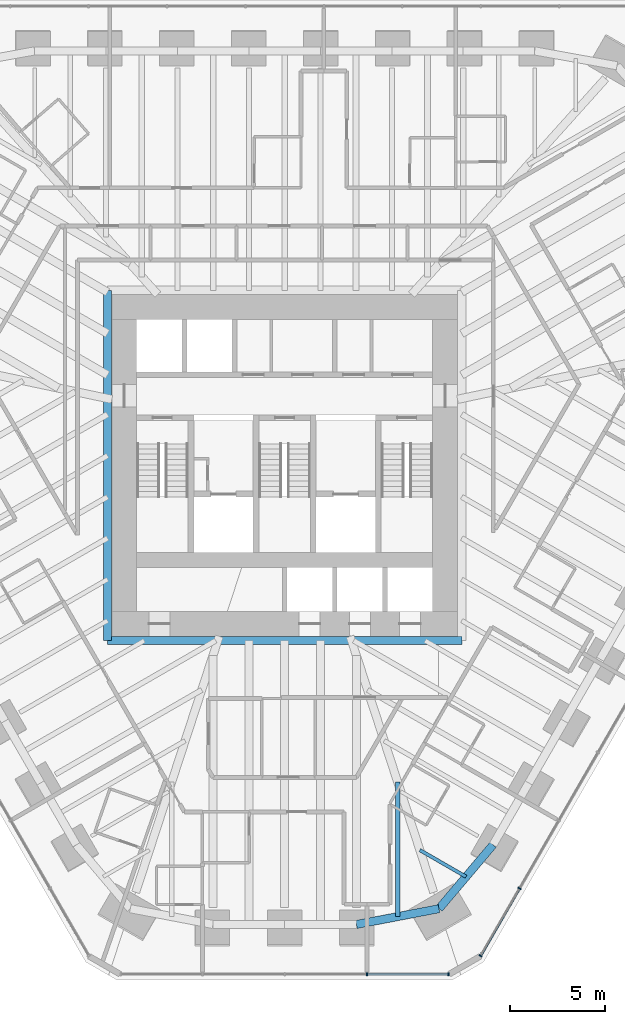
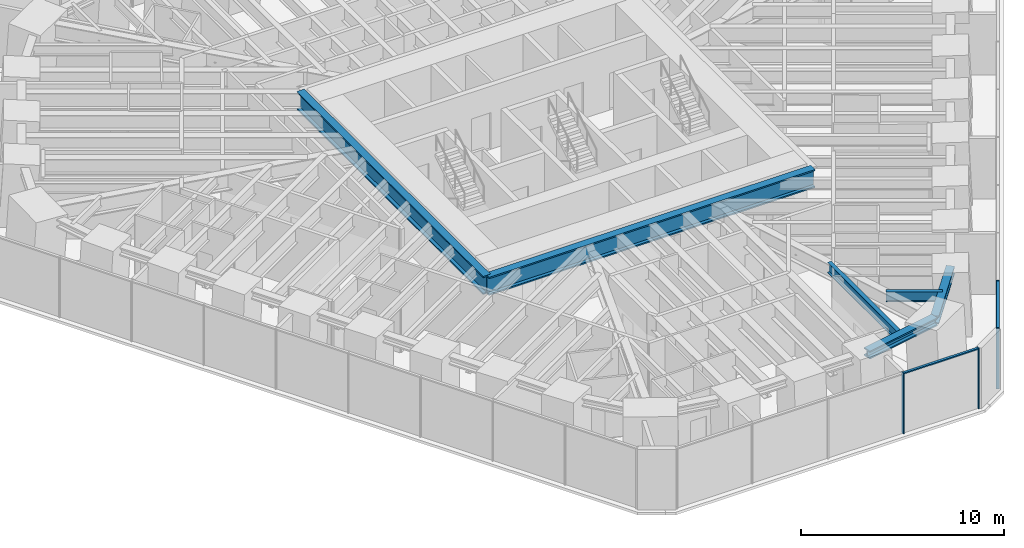
# One storey, part 4 of 17: 6 beams, 6 members, 2 elements without a shape of their own.
"""IFC4 building model written with IfcOpenShell, lengths in metres."""

from ifc_helpers import new_model, si_unit, direction, frame, origin, origin_2d, place, context, subcontext, project, spatial, rectangle, i_section, extrude, material, material_profile, profile_set, type_object, element, aggregate, save


model = new_model("IFC4")

# Units and contexts
model_context = context("Model", 3, precision=1e-05, world=origin(), true_north=direction((0.0, 1.0)))
body_context = subcontext(model_context, "Body", "Model", "MODEL_VIEW")
ifc_project = project(units=[si_unit("LENGTHUNIT", "METRE"), si_unit("AREAUNIT", "SQUARE_METRE"), si_unit("VOLUMEUNIT", "CUBIC_METRE"), si_unit("PLANEANGLEUNIT", "RADIAN"), si_unit("MASSUNIT", "GRAM", prefix="KILO")], contexts=[model_context])

# Site, building, storey
site_placement = place(None, origin())
site = spatial("IfcSite", under=ifc_project, at=site_placement, CompositionType="ELEMENT")
building_placement = place(site_placement, origin())
building = spatial("IfcBuilding", under=site, at=building_placement, Name="Sandreach Pilgrim Tower", CompositionType="ELEMENT")
storey_placement = place(building_placement, frame((0.0, 0.0, 169.0)))
storey = spatial("IfcBuildingStorey", under=building, at=storey_placement, Name="L42", CompositionType="ELEMENT", Elevation=169.0)

# Beams
ifc_material_1 = material(Name="Steel ASTM A913 Grade 65", Category="steel")
ifc_material_profile_1 = material_profile(ifc_material_1, i_section(OverallWidth=0.4267578125, OverallDepth=0.482666015625, WebThickness=0.05126953125, FlangeThickness=0.08154296875, at=origin_2d()), Name="W14X455")
ifc_profile_set_1 = profile_set([ifc_material_profile_1], Name="Steel ASTM A913 Grade 65")
beam_type_1 = type_object("IfcBeamType", Name="Belt truss chord W14X455", PredefinedType="BEAM", material=ifc_profile_set_1)
beam_1_placement = place(storey_placement, frame((10.910400390625, -21.41357421875, 3.398681640625), z_axis=(-0.645737346686, -0.763559610702, 0.0), x_axis=(0.763559610702, -0.645737346686, 0.0)))
element("IfcBeam", 1, at=beam_1_placement, inside=storey, type_object=beam_type_1, Name="BM L42 BTB21", PredefinedType="BEAM", context=body_context, shape_type="SweptSolid", body=[
    extrude(i_section(OverallWidth=0.4267578125, OverallDepth=0.482666015625, WebThickness=0.05126953125, FlangeThickness=0.08154296875, at=origin_2d()), origin(), (0.0, 0.0, 1.0), 4.38037109375),
])
beam_2_placement = place(storey_placement, frame((8.081787109375, -24.75830078125, 3.398681640625), z_axis=(-0.982235520779, -0.18765228941, 0.0), x_axis=(0.18765228941, -0.982235520779, 0.0)))
element("IfcBeam", 2, at=beam_2_placement, inside=storey, type_object=beam_type_1, Name="BM L42 BTB22", PredefinedType="BEAM", context=body_context, shape_type="SweptSolid", body=[
    extrude(i_section(OverallWidth=0.4267578125, OverallDepth=0.482666015625, WebThickness=0.05126953125, FlangeThickness=0.08154296875, at=origin_2d()), origin(), (0.0, 0.0, 1.0), 4.402587890625),
])

# Curtain wall, members
ifc_material_2 = material(Name="Aluminium framed curtain wall", Category="aluminium")
curtain_wall_type = type_object("IfcCurtainWallType", Name="Hotel tower curtain wall", PredefinedType="NOTDEFINED", material=ifc_material_2)
curtain_wall_1_placement = place(storey_placement, origin())
curtain_wall_1 = element("IfcCurtainWall", 3, at=curtain_wall_1_placement, inside=storey, type_object=curtain_wall_type, Name="CW-2 L42 SE", PredefinedType="NOTDEFINED")
ifc_material_3 = material(Name="Aluminium extrusion", Category="aluminium")
ifc_material_profile_2 = material_profile(ifc_material_3, rectangle(XDim=0.06494140625, YDim=0.179931640625, at=origin_2d()), Name="CW-2M 65X180")
ifc_profile_set_2 = profile_set([ifc_material_profile_2], Name="Aluminium extrusion")
member_type_1 = type_object("IfcMemberType", Name="CW-2 mullion", PredefinedType="MULLION", material=ifc_profile_set_2)
member_1_placement = place(storey_placement, frame((12.29296875, -23.695556640625, 0.0), z_axis=(0.0, 0.0, 1.0), x_axis=(-0.5, -0.866025403784, 0.0)))
member_1 = element("IfcMember", 4, at=member_1_placement, type_object=member_type_1, Name="CW-2 mullion 9", PredefinedType="MULLION", context=body_context, shape_type="SweptSolid", body=[
    extrude(rectangle(XDim=0.06494140625, YDim=0.179931640625, at=origin_2d()), origin(), (0.0, 0.0, 1.0), 3.639892578125),
])
member_2_placement = place(storey_placement, frame((10.255859375, -27.22412109375, 0.0), z_axis=(0.0, 0.0, 1.0), x_axis=(-0.5, -0.866025403784, 0.0)))
member_2 = element("IfcMember", 5, at=member_2_placement, type_object=member_type_1, Name="CW-2 mullion 10", PredefinedType="MULLION", context=body_context, shape_type="SweptSolid", body=[
    extrude(rectangle(XDim=0.06494140625, YDim=0.179931640625, at=origin_2d()), origin(), (0.0, 0.0, 1.0), 3.639892578125),
])

curtain_wall_2_placement = place(storey_placement, origin())
curtain_wall_2 = element("IfcCurtainWall", 6, at=curtain_wall_2_placement, inside=storey, type_object=curtain_wall_type, Name="CW-2 L42 S", PredefinedType="NOTDEFINED")
member_3_placement = place(storey_placement, frame((8.578857421875, -28.192138671875, 0.0), z_axis=(0.0, 0.0, 1.0), x_axis=(-1.0, 0.0, 0.0)))
member_3 = element("IfcMember", 7, at=member_3_placement, type_object=member_type_1, Name="CW-2 mullion 1", PredefinedType="MULLION", context=body_context, shape_type="SweptSolid", body=[
    extrude(rectangle(XDim=0.06494140625, YDim=0.179931640625, at=origin_2d()), origin(), (0.0, 0.0, 1.0), 3.639892578125),
])
member_4_placement = place(storey_placement, frame((4.3056640625, -28.192138671875, 0.0), z_axis=(0.0, 0.0, 1.0), x_axis=(-1.0, 0.0, 0.0)))
member_4 = element("IfcMember", 8, at=member_4_placement, type_object=member_type_1, Name="CW-2 mullion 2", PredefinedType="MULLION", context=body_context, shape_type="SweptSolid", body=[
    extrude(rectangle(XDim=0.06494140625, YDim=0.179931640625, at=origin_2d()), origin(), (0.0, 0.0, 1.0), 3.639892578125),
])

# Member
ifc_material_4 = material(Name="Aluminium extrusion", Category="aluminium")
ifc_material_profile_3 = material_profile(ifc_material_4, rectangle(XDim=0.139892578125, YDim=0.070068359375, at=origin_2d()), Name="CW-2T 140X70")
ifc_profile_set_3 = profile_set([ifc_material_profile_3], Name="Aluminium extrusion")
member_type_2 = type_object("IfcMemberType", Name="CW-2 transom", PredefinedType="USERDEFINED", material=ifc_profile_set_3)
member_5_placement = place(storey_placement, frame((12.27685546875, -23.7236328125, 3.60498046875), z_axis=(-0.500015851672, -0.866016251624, 0.0), x_axis=(0.866016251624, -0.500015851672, 0.0)))
member_5 = element("IfcMember", 9, at=member_5_placement, type_object=member_type_2, Name="CW-2 head transom 9", ObjectType="TRANSOM", PredefinedType="USERDEFINED", context=body_context, shape_type="SweptSolid", body=[
    extrude(rectangle(XDim=0.139892578125, YDim=0.070068359375, at=origin_2d()), origin(), (0.0, 0.0, 1.0), 4.009521484375),
])

aggregate(curtain_wall_1, [member_1, member_2, member_5])

member_6_placement = place(storey_placement, frame((8.54638671875, -28.192138671875, 3.60498046875), z_axis=(-1.0, 0.0, 0.0), x_axis=(0.0, -1.0, 0.0)))
member_6 = element("IfcMember", 10, at=member_6_placement, type_object=member_type_2, Name="CW-2 head transom 1", ObjectType="TRANSOM", PredefinedType="USERDEFINED", context=body_context, shape_type="SweptSolid", body=[
    extrude(rectangle(XDim=0.139892578125, YDim=0.070068359375, at=origin_2d()), origin(), (0.0, 0.0, 1.0), 4.208251953125),
])

aggregate(curtain_wall_2, [member_3, member_4, member_6])

# Beams
ifc_material_5 = material(Name="Steel ASTM A992 Grade 50", Category="steel")
ifc_material_profile_4 = material_profile(ifc_material_5, i_section(OverallWidth=0.424072265625, OverallDepth=1.09228515625, WebThickness=0.04541015625, FlangeThickness=0.08203125, at=origin_2d()), Name="W40X593")
ifc_profile_set_4 = profile_set([ifc_material_profile_4], Name="Steel ASTM A992 Grade 50")
beam_type_2 = type_object("IfcBeamType", Name="Core edge beam W40X593", PredefinedType="BEAM", material=ifc_profile_set_4)
beam_3_placement = place(storey_placement, frame((9.27197265625, -10.72216796875, 3.093994140625), z_axis=(-1.0, 0.0, 0.0), x_axis=(0.0, -1.0, 0.0)))
element("IfcBeam", 11, at=beam_3_placement, inside=storey, type_object=beam_type_2, Name="BM L42 CES", PredefinedType="BEAM", context=body_context, shape_type="SweptSolid", body=[
    extrude(i_section(OverallWidth=0.424072265625, OverallDepth=1.09228515625, WebThickness=0.04541015625, FlangeThickness=0.08203125, at=origin_2d()), origin(), (0.0, 0.0, 1.0), 18.5439453125),
])
beam_4_placement = place(storey_placement, frame((-9.27197265625, -10.72216796875, 3.093994140625), z_axis=(0.0, 1.0, 0.0), x_axis=(-1.0, 0.0, 0.0)))
element("IfcBeam", 12, at=beam_4_placement, inside=storey, type_object=beam_type_2, Name="BM L42 CEW", PredefinedType="BEAM", context=body_context, shape_type="SweptSolid", body=[
    extrude(i_section(OverallWidth=0.424072265625, OverallDepth=1.09228515625, WebThickness=0.04541015625, FlangeThickness=0.08203125, at=origin_2d()), origin(), (0.0, 0.0, 1.0), 18.34423828125),
])
ifc_material_6 = material(Name="Steel ASTM A992 Grade 50", Category="steel")
ifc_material_profile_5 = material_profile(ifc_material_6, i_section(OverallWidth=0.1787109375, OverallDepth=0.60205078125, WebThickness=0.010986328125, FlangeThickness=0.014892578125, at=origin_2d()), Name="W24X62")
ifc_profile_set_5 = profile_set([ifc_material_profile_5], Name="Steel ASTM A992 Grade 50")
beam_type_3 = type_object("IfcBeamType", Name="Floor beam W24X62", PredefinedType="BEAM", material=ifc_profile_set_5)
beam_5_placement = place(storey_placement, frame((9.49609375, -23.0859375, 3.339111328125), z_axis=(-0.866036909293, 0.499980071345, 0.0), x_axis=(-0.499980071345, -0.866036909293, 0.0)))
element("IfcBeam", 13, at=beam_5_placement, inside=storey, type_object=beam_type_3, Name="BM L42 FM21", PredefinedType="BEAM", context=body_context, shape_type="SweptSolid", body=[
    extrude(i_section(OverallWidth=0.1787109375, OverallDepth=0.60205078125, WebThickness=0.010986328125, FlangeThickness=0.014892578125, at=origin_2d()), origin(), (0.0, 0.0, 1.0), 2.7890625),
])
ifc_material_7 = material(Name="Steel ASTM A992 Grade 50", Category="steel")
ifc_material_profile_6 = material_profile(ifc_material_7, i_section(OverallWidth=0.23046875, OverallDepth=0.6171875, WebThickness=0.01318359375, FlangeThickness=0.022216796875, at=origin_2d()), Name="W24X94")
ifc_profile_set_6 = profile_set([ifc_material_profile_6], Name="Steel ASTM A992 Grade 50")
beam_type_4 = type_object("IfcBeamType", Name="Floor beam W24X94", PredefinedType="BEAM", material=ifc_profile_set_6)
beam_6_placement = place(storey_placement, frame((5.91943359375, -25.17138671875, 3.331298828125), z_axis=(0.0, 1.0, 0.0), x_axis=(-1.0, 0.0, 0.0)))
element("IfcBeam", 14, at=beam_6_placement, inside=storey, type_object=beam_type_4, Name="BM L42 FM22", PredefinedType="BEAM", context=body_context, shape_type="SweptSolid", body=[
    extrude(i_section(OverallWidth=0.23046875, OverallDepth=0.6171875, WebThickness=0.01318359375, FlangeThickness=0.022216796875, at=origin_2d()), origin(), (0.0, 0.0, 1.0), 7.037109375),
])

save(model, "model.ifc")
